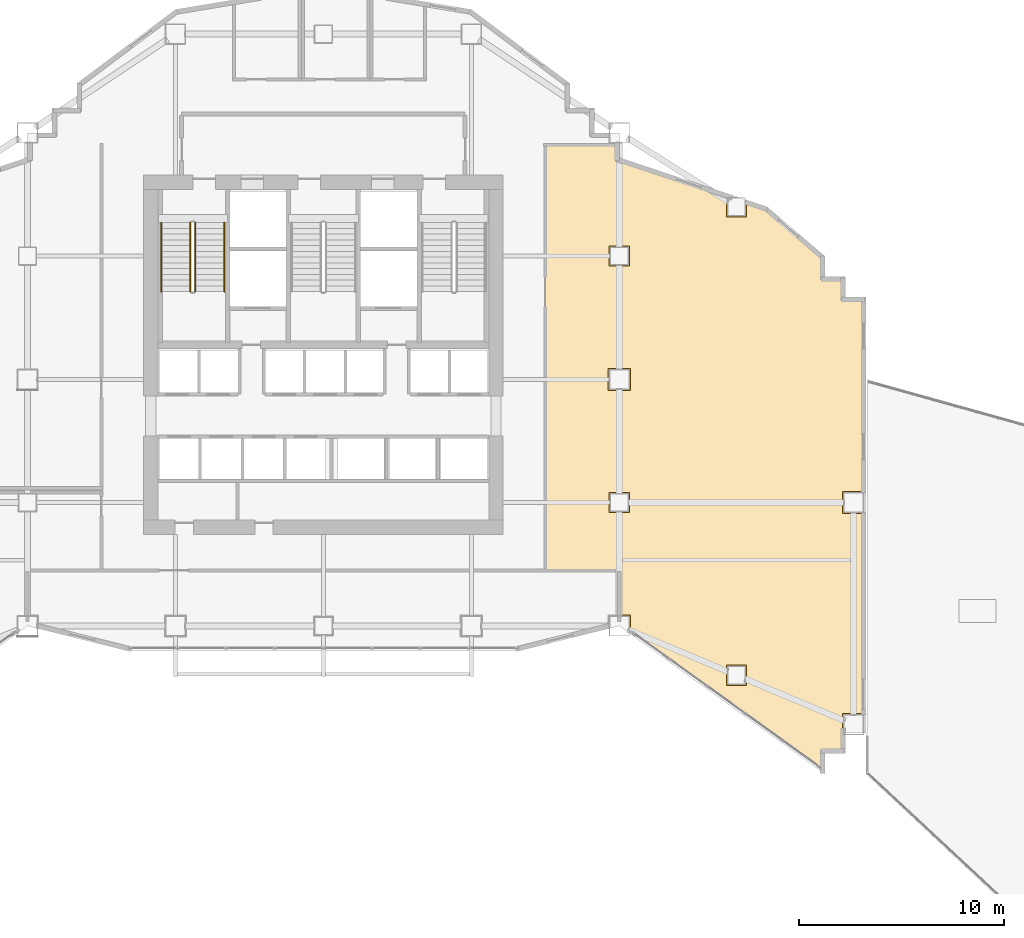
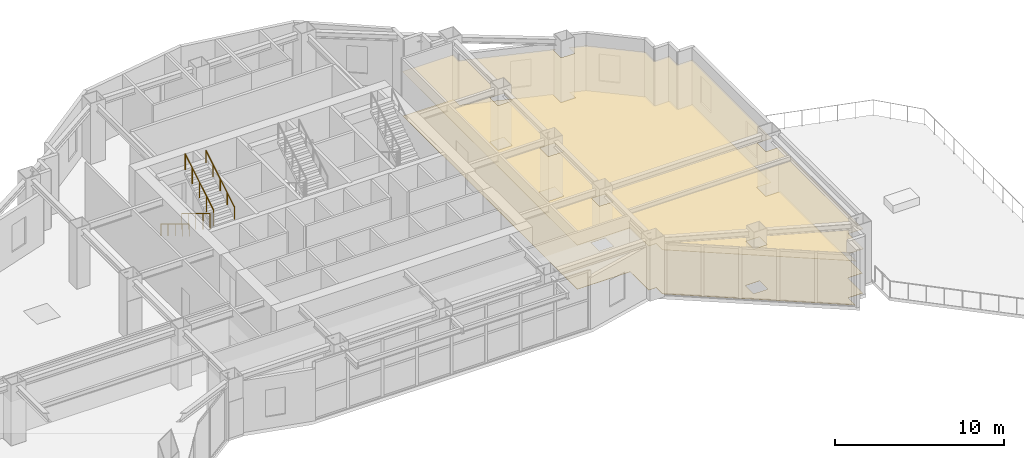
# One storey, part 17 of 19: 4 railings, 2 coverings.
"""IFC4 building model written with IfcOpenShell, lengths in metres."""

from ifc_helpers import new_model, si_unit, direction, frame, origin, origin_2d, place, context, subcontext, project, spatial, polyline, circle, outline, extrude, material, layer, layer_set, type_object, element, save


model = new_model("IFC4")

# Units and contexts
model_context = context("Model", 3, precision=1e-05, world=origin(), true_north=direction((0.0, 1.0)))
body_context = subcontext(model_context, "Body", "Model", "MODEL_VIEW")
ifc_project = project(units=[si_unit("LENGTHUNIT", "METRE"), si_unit("AREAUNIT", "SQUARE_METRE"), si_unit("VOLUMEUNIT", "CUBIC_METRE"), si_unit("PLANEANGLEUNIT", "RADIAN"), si_unit("MASSUNIT", "GRAM", prefix="KILO")], contexts=[model_context])

# Site, building, storey
site_placement = place(None, origin())
site = spatial("IfcSite", under=ifc_project, at=site_placement, CompositionType="ELEMENT")
building_placement = place(site_placement, origin())
building = spatial("IfcBuilding", under=site, at=building_placement, Name="Haolan Belvedere Tower", CompositionType="ELEMENT")
storey_placement = place(building_placement, frame((0.0, 0.0, 94.0)))
storey = spatial("IfcBuildingStorey", under=building, at=storey_placement, Name="L23", CompositionType="ELEMENT", Elevation=94.0)

# Coverings
ifc_material_1 = material(Name="Acoustic mineral-fibre suspended ceiling system", Category="masonry")
ifc_layer_1 = layer(ifc_material_1, 0.02490234375, Name="Acoustic mineral-fibre suspended ceiling system")
ifc_layer_set_1 = layer_set([ifc_layer_1], Name="Acoustic mineral-fibre suspended ceiling system")
covering_type_1 = type_object("IfcCoveringType", Name="COV-CEIL-AC25", PredefinedType="CEILING", material=ifc_layer_set_1)
covering_1_placement = place(storey_placement, frame((0.0, 0.0, 3.199951171875)))
element("IfcCovering", 1, at=covering_1_placement, inside=storey, type_object=covering_type_1, Name="L23 suspended acoustic ceiling L23-CLUB.2", PredefinedType="CEILING", context=body_context, shape_type="SweptSolid", body=[
    extrude(outline(polyline([(52.681884765625, 44.31494140625), (52.681884765625, 45.011962890625), (49.18798828125, 45.011962890625), (49.18798828125, 24.302978515625), (52.799560546875, 24.302978515625), (52.80029296875, 24.302978515625), (52.80078125, 24.302978515625), (52.801025390625, 24.302734375), (52.801513671875, 24.302490234375), (52.8017578125, 24.302490234375), (52.8017578125, 24.30224609375), (52.802001953125, 24.302001953125), (52.80224609375, 24.3017578125), (52.802490234375, 24.3017578125), (52.802490234375, 24.301513671875), (52.802734375, 24.301025390625), (52.802978515625, 24.30078125), (52.802978515625, 24.30029296875), (52.802978515625, 24.299560546875), (52.802978515625, 22.114990234375), (53.31494140625, 22.114990234375), (53.31494140625, 21.37451171875), (62.681884765625, 14.63037109375), (62.681884765625, 15.51806640625), (63.681884765625, 15.51806640625), (63.681884765625, 16.51806640625), (63.68505859375, 16.51806640625), (63.68505859375, 17.31494140625), (64.681884765625, 17.31494140625), (64.681884765625, 27.0849609375), (63.68505859375, 27.0849609375), (63.68505859375, 28.114990234375), (64.681884765625, 28.114990234375), (64.681884765625, 37.48193359375), (63.681884765625, 37.48193359375), (63.681884765625, 38.48193359375), (62.681884765625, 38.48193359375), (62.681884765625, 39.545654296875), (59.940673828125, 41.895263671875), (58.965087890625, 42.220703125), (58.965087890625, 41.534912109375), (58.034912109375, 41.534912109375), (58.034912109375, 42.465087890625), (58.206787109375, 42.465087890625), (58.2080078125, 42.472900390625), (52.681884765625, 44.31494140625)]), holes=[polyline([(58.034912109375, 18.735107421875), (58.034912109375, 19.6650390625), (58.965087890625, 19.6650390625), (58.965087890625, 18.735107421875), (58.034912109375, 18.735107421875)]), polyline([(52.284912109375, 33.0849609375), (52.284912109375, 34.114990234375), (53.31494140625, 34.114990234375), (53.31494140625, 33.0849609375), (52.284912109375, 33.0849609375)]), polyline([(52.3349609375, 27.135009765625), (52.3349609375, 28.06494140625), (53.264892578125, 28.06494140625), (53.264892578125, 27.135009765625), (52.3349609375, 27.135009765625)]), polyline([(52.3349609375, 39.135009765625), (52.3349609375, 40.06494140625), (53.264892578125, 40.06494140625), (53.264892578125, 39.135009765625), (52.3349609375, 39.135009765625)])]), origin(), (0.0, 0.0, 1.0), 0.025146484375),
])
ifc_material_2 = material(Name="Honed terrazzo and natural granite stone flooring", Category="masonry")
ifc_layer_2 = layer(ifc_material_2, 0.014892578125, Name="Honed terrazzo and natural granite stone flooring")
ifc_layer_set_2 = layer_set([ifc_layer_2], Name="Honed terrazzo and natural granite stone flooring")
covering_type_2 = type_object("IfcCoveringType", Name="COV-FLR-STN30", PredefinedType="FLOORING", material=ifc_layer_set_2)
covering_2_placement = place(storey_placement, origin())
element("IfcCovering", 2, at=covering_2_placement, inside=storey, type_object=covering_type_2, Name="L23 polished stone floor finish L23-CLUB.2", PredefinedType="FLOORING", context=body_context, shape_type="SweptSolid", body=[
    extrude(outline(polyline([(52.656982421875, 44.987060546875), (49.212890625, 44.987060546875), (49.212890625, 24.327880859375), (52.802490234375, 24.327880859375), (52.809814453125, 24.326904296875), (52.81201171875, 24.325439453125), (52.815185546875, 24.324462890625), (52.8173828125, 24.322265625), (52.822998046875, 24.3193359375), (52.82470703125, 24.314697265625), (52.826171875, 24.31298828125), (52.827880859375, 24.302490234375), (52.827880859375, 22.139892578125), (53.340087890625, 22.139892578125), (53.340087890625, 21.387451171875), (62.656982421875, 14.67919921875), (62.656982421875, 15.54296875), (63.656982421875, 15.54296875), (63.656982421875, 16.54296875), (63.659912109375, 16.54296875), (63.659912109375, 17.340087890625), (64.656982421875, 17.340087890625), (64.656982421875, 27.06005859375), (63.659912109375, 27.06005859375), (63.659912109375, 28.139892578125), (64.656982421875, 28.139892578125), (64.656982421875, 37.45703125), (63.656982421875, 37.45703125), (63.656982421875, 38.45703125), (62.656982421875, 38.45703125), (62.656982421875, 39.5341796875), (59.927978515625, 41.873046875), (58.989990234375, 42.185791015625), (58.989990234375, 41.510009765625), (58.010009765625, 41.510009765625), (58.010009765625, 42.5126953125), (52.656982421875, 44.296875), (52.656982421875, 44.987060546875)]), holes=[polyline([(58.010009765625, 19.68994140625), (58.989990234375, 19.68994140625), (58.989990234375, 18.7099609375), (58.010009765625, 18.7099609375), (58.010009765625, 19.68994140625)]), polyline([(52.260009765625, 34.139892578125), (53.340087890625, 34.139892578125), (53.340087890625, 33.06005859375), (52.260009765625, 33.06005859375), (52.260009765625, 34.139892578125)]), polyline([(52.31005859375, 28.090087890625), (53.2900390625, 28.090087890625), (53.2900390625, 27.110107421875), (52.31005859375, 27.110107421875), (52.31005859375, 28.090087890625)]), polyline([(52.31005859375, 40.090087890625), (53.2900390625, 40.090087890625), (53.2900390625, 39.110107421875), (52.31005859375, 39.110107421875), (52.31005859375, 40.090087890625)])]), origin(), (0.0, 0.0, 1.0), 0.014892578125),
])

# Railings
ifc_material_3 = material(Name="Brushed stainless steel 304", Category="steel")
railing_type_1 = type_object("IfcRailingType", Name="RL-STAIR-GRD-1150", PredefinedType="GUARDRAIL", material=ifc_material_3)
railing_1_placement = place(storey_placement, frame((31.919921875, 41.22998046875, 0.169189453125)))
element("IfcRailing", 3, at=railing_1_placement, inside=storey, type_object=railing_type_1, Name="L23 ST1 stair guard 1", PredefinedType="GUARDRAIL", context=body_context, shape_type="SweptSolid", body=[
    extrude(circle(Radius=0.02392578125, at=origin_2d()), frame((0.0, 0.0, 1.1259765625), z_axis=(0.0, -0.855820338506, 0.51727318527), x_axis=(1.0, 0.0, 0.0)), (0.0, 0.0, 1.0), 3.92578125),
    extrude(circle(Radius=0.02099609375, at=origin_2d()), origin(), (0.0, 0.0, 1.0), 1.101806640625),
    extrude(circle(Radius=0.02099609375, at=origin_2d()), frame((0.0, -0.83984375, 0.5078125)), (0.0, 0.0, 1.0), 1.101806640625),
    extrude(circle(Radius=0.02099609375, at=origin_2d()), frame((0.0, -1.679931640625, 1.015380859375)), (0.0, 0.0, 1.0), 1.101806640625),
    extrude(circle(Radius=0.02099609375, at=origin_2d()), frame((0.0, -2.52001953125, 1.52294921875)), (0.0, 0.0, 1.0), 1.101806640625),
    extrude(circle(Radius=0.02099609375, at=origin_2d()), frame((0.0, -3.35986328125, 2.03076171875)), (0.0, 0.0, 1.0), 1.101806640625),
])
railing_2_placement = place(storey_placement, frame((32.159912109375, 37.8701171875, 2.369140625)))
element("IfcRailing", 4, at=railing_2_placement, inside=storey, type_object=railing_type_1, Name="L23 ST1 stair guard 3", PredefinedType="GUARDRAIL", context=body_context, shape_type="SweptSolid", body=[
    extrude(circle(Radius=0.02392578125, at=origin_2d()), frame((0.0, 0.0, 1.1259765625), z_axis=(0.0, 0.855820338506, 0.51727318527), x_axis=(-1.0, 0.0, 0.0)), (0.0, 0.0, 1.0), 3.92578125),
    extrude(circle(Radius=0.02099609375, at=origin_2d()), origin(), (0.0, 0.0, 1.0), 1.101806640625),
    extrude(circle(Radius=0.02099609375, at=origin_2d()), frame((0.0, 0.83984375, 0.5078125)), (0.0, 0.0, 1.0), 1.101806640625),
    extrude(circle(Radius=0.02099609375, at=origin_2d()), frame((0.0, 1.679931640625, 1.015380859375)), (0.0, 0.0, 1.0), 1.101806640625),
    extrude(circle(Radius=0.02099609375, at=origin_2d()), frame((0.0, 2.52001953125, 1.52294921875)), (0.0, 0.0, 1.0), 1.101806640625),
    extrude(circle(Radius=0.02099609375, at=origin_2d()), frame((0.0, 3.35986328125, 2.03076171875)), (0.0, 0.0, 1.0), 1.101806640625),
])
railing_type_2 = type_object("IfcRailingType", Name="RL-STAIR-HND-900", PredefinedType="HANDRAIL", material=ifc_material_3)
railing_3_placement = place(storey_placement, frame((30.5, 41.22998046875, 0.169189453125)))
element("IfcRailing", 5, at=railing_3_placement, inside=storey, type_object=railing_type_2, Name="L23 ST1 stair handrail 1", PredefinedType="HANDRAIL", context=body_context, shape_type="SweptSolid", body=[
    extrude(circle(Radius=0.02392578125, at=origin_2d()), frame((0.0, 0.0, 0.8759765625), z_axis=(0.0, -0.855820338506, 0.51727318527), x_axis=(1.0, 0.0, 0.0)), (0.0, 0.0, 1.0), 3.92578125),
    extrude(circle(Radius=0.02099609375, at=origin_2d()), origin(), (0.0, 0.0, 1.0), 0.851806640625),
    extrude(circle(Radius=0.02099609375, at=origin_2d()), frame((0.0, -0.83984375, 0.5078125)), (0.0, 0.0, 1.0), 0.851806640625),
    extrude(circle(Radius=0.02099609375, at=origin_2d()), frame((0.0, -1.679931640625, 1.015380859375)), (0.0, 0.0, 1.0), 0.851806640625),
    extrude(circle(Radius=0.02099609375, at=origin_2d()), frame((0.0, -2.52001953125, 1.52294921875)), (0.0, 0.0, 1.0), 0.851806640625),
    extrude(circle(Radius=0.02099609375, at=origin_2d()), frame((0.0, -3.35986328125, 2.03076171875)), (0.0, 0.0, 1.0), 0.851806640625),
])
railing_4_placement = place(storey_placement, frame((33.580078125, 37.8701171875, 2.369140625)))
element("IfcRailing", 6, at=railing_4_placement, inside=storey, type_object=railing_type_2, Name="L23 ST1 stair handrail 2", PredefinedType="HANDRAIL", context=body_context, shape_type="SweptSolid", body=[
    extrude(circle(Radius=0.02392578125, at=origin_2d()), frame((0.0, 0.0, 0.8759765625), z_axis=(0.0, 0.855820338506, 0.51727318527), x_axis=(-1.0, 0.0, 0.0)), (0.0, 0.0, 1.0), 3.92578125),
    extrude(circle(Radius=0.02099609375, at=origin_2d()), origin(), (0.0, 0.0, 1.0), 0.851806640625),
    extrude(circle(Radius=0.02099609375, at=origin_2d()), frame((0.0, 0.83984375, 0.5078125)), (0.0, 0.0, 1.0), 0.851806640625),
    extrude(circle(Radius=0.02099609375, at=origin_2d()), frame((0.0, 1.679931640625, 1.015380859375)), (0.0, 0.0, 1.0), 0.851806640625),
    extrude(circle(Radius=0.02099609375, at=origin_2d()), frame((0.0, 2.52001953125, 1.52294921875)), (0.0, 0.0, 1.0), 0.851806640625),
    extrude(circle(Radius=0.02099609375, at=origin_2d()), frame((0.0, 3.35986328125, 2.03076171875)), (0.0, 0.0, 1.0), 0.851806640625),
])

save(model, "model.ifc")
